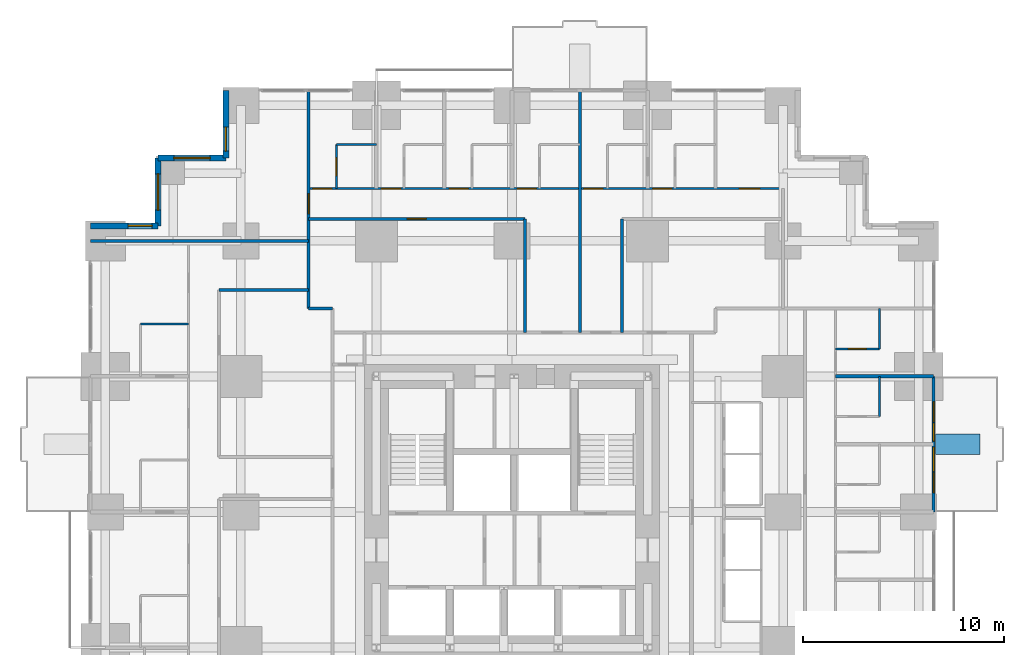
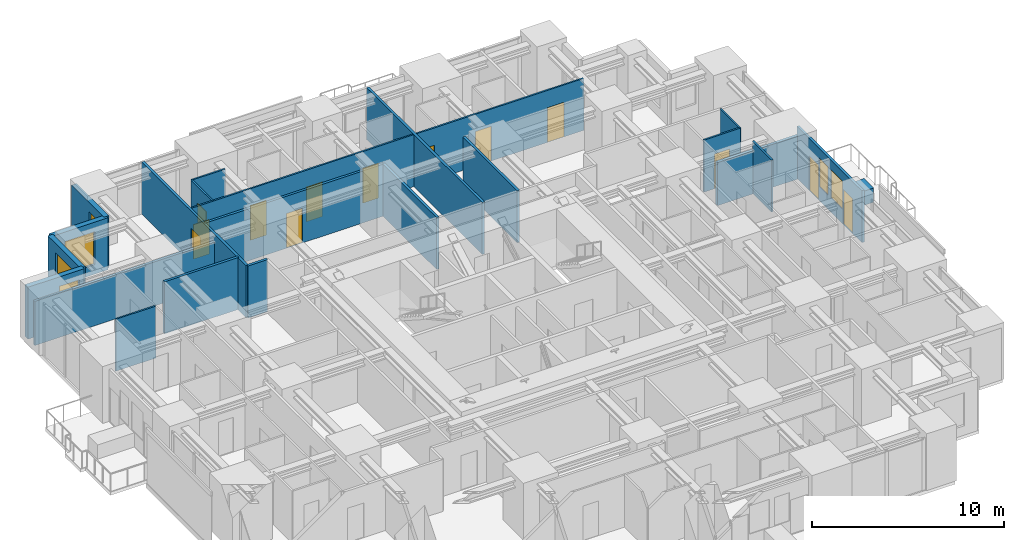
# One storey, part 12 of 15: 22 walls, 13 doors, 6 windows, 19 openings.
"""IFC4 building model written with IfcOpenShell, lengths in metres."""

from ifc_helpers import new_model, si_unit, direction, frame, frame_2d, origin, place, context, subcontext, project, spatial, rectangle, extrude, material, layer, layer_set, type_object, element, fill, save


model = new_model("IFC4")

# Units and contexts
model_context = context("Model", 3, precision=1e-05, world=origin(), true_north=direction((0.0, 1.0)))
body_context = subcontext(model_context, "Body", "Model", "MODEL_VIEW")
ifc_project = project(units=[si_unit("LENGTHUNIT", "METRE"), si_unit("AREAUNIT", "SQUARE_METRE"), si_unit("VOLUMEUNIT", "CUBIC_METRE"), si_unit("PLANEANGLEUNIT", "RADIAN"), si_unit("MASSUNIT", "GRAM", prefix="KILO")], contexts=[model_context])

# Site, building, storey
site_placement = place(None, origin())
site = spatial("IfcSite", under=ifc_project, at=site_placement, CompositionType="ELEMENT")
building_placement = place(site_placement, origin())
building = spatial("IfcBuilding", under=site, at=building_placement, Name="Nyansa Garden Tower", CompositionType="ELEMENT")
storey_placement = place(building_placement, frame((0.0, 0.0, 72.0)))
storey = spatial("IfcBuildingStorey", under=building, at=storey_placement, Name="L19", CompositionType="ELEMENT", Elevation=72.0)

# Wall
ifc_material_1 = material(Name="Dense blockwork, plastered both sides, 55 dB", Category="masonry")
ifc_layer_1 = layer(ifc_material_1, 0.175048828125)
ifc_layer_set_1 = layer_set([ifc_layer_1], Name="Acoustic party wall PW175")
wall_type_1 = type_object("IfcWallType", Name="Acoustic party wall PW175", PredefinedType="PARTITIONING", material=ifc_layer_set_1)
wall_1_placement = place(storey_placement, frame((36.35009765625, 27.0, 0.0), z_axis=(0.0, 0.0, 1.0), x_axis=(1.0, 0.0, 0.0)))
element("IfcWall", 1, at=wall_1_placement, inside=storey, type_object=wall_type_1, Name="Party wall", PredefinedType="PARTITIONING", context=body_context, shape_type="SweptSolid", body=[
    extrude(rectangle(XDim=4.8837890625, YDim=0.175048828125, at=frame_2d((2.44189453125, 0.0))), origin(), (0.0, 0.0, 1.0), 2.73095703125),
])

# Wall, openings, doors, windows
ifc_material_2 = material(Name="Black aluminium framed glazed screen", Category="aluminium")
ifc_layer_2 = layer(ifc_material_2, 0.14990234375)
ifc_layer_set_2 = layer_set([ifc_layer_2], Name="Balcony screen wall BW150")
wall_type_2 = type_object("IfcWallType", Name="Balcony screen wall BW150", PredefinedType="SOLIDWALL", material=ifc_layer_set_2)
wall_2_placement = place(storey_placement, frame((41.25, 27.0, 0.0), z_axis=(0.0, 0.0, 1.0), x_axis=(0.0, -1.0, 0.0)))
wall_2 = element("IfcWall", 2, at=wall_2_placement, inside=storey, type_object=wall_type_2, Name="Glazed screen wall L19 E", PredefinedType="SOLIDWALL", context=body_context, shape_type="SweptSolid", body=[
    extrude(rectangle(XDim=6.75, YDim=0.14990234375, at=frame_2d((3.375, 0.0))), origin(), (0.0, 0.0, 1.0), 3.300048828125),
])
opening_1_placement = place(wall_2_placement, frame((1.262451171875, 0.0, 0.0)))
opening_1 = element("IfcOpeningElement", 3, at=opening_1_placement, cuts=wall_2, Name="Opening D20", PredefinedType="OPENING", context=body_context, shape_type="SweptSolid", body=[
    extrude(rectangle(XDim=1.0, YDim=2.199951171875, at=frame_2d((0.5, 1.10009765625))), frame((0.0, 0.0849609375, 0.0), z_axis=(0.0, -1.0, 0.0), x_axis=(1.0, 0.0, 0.0)), (0.0, 0.0, 1.0), 0.169921875),
])
opening_2_placement = place(wall_2_placement, frame((2.324951171875, 0.0, 0.89990234375)))
opening_2 = element("IfcOpeningElement", 4, at=opening_2_placement, cuts=wall_2, Name="Opening W7", PredefinedType="OPENING", context=body_context, shape_type="SweptSolid", body=[
    extrude(rectangle(XDim=0.89990234375, YDim=1.800048828125, at=frame_2d((0.449951171875, 0.89990234375))), frame((0.0, 0.0849609375, 0.0), z_axis=(0.0, -1.0, 0.0), x_axis=(1.0, 0.0, 0.0)), (0.0, 0.0, 1.0), 0.169921875),
])
opening_3_placement = place(wall_2_placement, frame((4.78759765625, 0.0, 0.0)))
opening_3 = element("IfcOpeningElement", 5, at=opening_3_placement, cuts=wall_2, Name="Opening D20", PredefinedType="OPENING", context=body_context, shape_type="SweptSolid", body=[
    extrude(rectangle(XDim=1.0, YDim=2.199951171875, at=frame_2d((0.5, 1.10009765625))), frame((0.0, 0.0849609375, 0.0), z_axis=(0.0, -1.0, 0.0), x_axis=(1.0, 0.0, 0.0)), (0.0, 0.0, 1.0), 0.169921875),
])
opening_4_placement = place(wall_2_placement, frame((3.52490234375, 0.0, 0.89990234375)))
opening_4 = element("IfcOpeningElement", 6, at=opening_4_placement, cuts=wall_2, Name="Opening W6", PredefinedType="OPENING", context=body_context, shape_type="SweptSolid", body=[
    extrude(rectangle(XDim=1.199951171875, YDim=1.800048828125, at=frame_2d((0.60009765625, 0.89990234375))), frame((0.0, 0.0849609375, 0.0), z_axis=(0.0, -1.0, 0.0), x_axis=(1.0, 0.0, 0.0)), (0.0, 0.0, 1.0), 0.169921875),
])
ifc_material_3 = material(Name="Black aluminium framed glazed door", Category="aluminium")
door_type_1 = type_object("IfcDoorType", Name="Balcony door D20 1000x2200", OperationType="NOTDEFINED", PredefinedType="DOOR", material=ifc_material_3)
door_1_placement = place(opening_1_placement, origin())
door_1 = element("IfcDoor", 7, at=door_1_placement, inside=storey, type_object=door_type_1, Name="Balcony door L19", OperationType="SINGLE_SWING_LEFT", OverallHeight=2.199951171875, OverallWidth=1.0, PredefinedType="DOOR", context=body_context, shape_type="SweptSolid", body=[
    extrude(rectangle(XDim=1.0, YDim=2.199951171875, at=frame_2d((0.5, 1.10009765625))), frame((0.0, 0.02490234375, 0.0), z_axis=(0.0, -1.0, 0.0), x_axis=(1.0, 0.0, 0.0)), (0.0, 0.0, 1.0), 0.050048828125),
])
fill(opening_1, door_1)
door_2_placement = place(opening_3_placement, origin())
door_2 = element("IfcDoor", 8, at=door_2_placement, inside=storey, type_object=door_type_1, Name="Balcony door L19", OperationType="SINGLE_SWING_RIGHT", OverallHeight=2.199951171875, OverallWidth=1.0, PredefinedType="DOOR", context=body_context, shape_type="SweptSolid", body=[
    extrude(rectangle(XDim=1.0, YDim=2.199951171875, at=frame_2d((0.5, 1.10009765625))), frame((0.0, 0.02490234375, 0.0), z_axis=(0.0, -1.0, 0.0), x_axis=(1.0, 0.0, 0.0)), (0.0, 0.0, 1.0), 0.050048828125),
])
fill(opening_3, door_2)
ifc_material_4 = material(Name="Black aluminium frame, dark tinted double glazing", Category="aluminium")
window_type_1 = type_object("IfcWindowType", Name="Balcony window W6 1200x1800", PartitioningType="SINGLE_PANEL", PredefinedType="WINDOW", material=ifc_material_4)
window_1_placement = place(opening_4_placement, origin())
window_1 = element("IfcWindow", 9, at=window_1_placement, inside=storey, type_object=window_type_1, Name="Window L19", OverallHeight=1.800048828125, OverallWidth=1.199951171875, PartitioningType="SINGLE_PANEL", PredefinedType="WINDOW", context=body_context, shape_type="SweptSolid", body=[
    extrude(rectangle(XDim=1.199951171875, YDim=1.800048828125, at=frame_2d((0.60009765625, 0.89990234375))), frame((0.0, 0.030029296875, 0.0), z_axis=(0.0, -1.0, 0.0), x_axis=(1.0, 0.0, 0.0)), (0.0, 0.0, 1.0), 0.06005859375),
])
fill(opening_4, window_1)
ifc_material_5 = material(Name="Black aluminium frame, dark tinted double glazing", Category="aluminium")
window_type_2 = type_object("IfcWindowType", Name="Balcony window W7 900x1800", PartitioningType="SINGLE_PANEL", PredefinedType="WINDOW", material=ifc_material_5)
window_2_placement = place(opening_2_placement, origin())
window_2 = element("IfcWindow", 10, at=window_2_placement, inside=storey, type_object=window_type_2, Name="Window L19", OverallHeight=1.800048828125, OverallWidth=0.89990234375, PartitioningType="SINGLE_PANEL", PredefinedType="WINDOW", context=body_context, shape_type="SweptSolid", body=[
    extrude(rectangle(XDim=0.89990234375, YDim=1.800048828125, at=frame_2d((0.449951171875, 0.89990234375))), frame((0.0, 0.030029296875, 0.0), z_axis=(0.0, -1.0, 0.0), x_axis=(1.0, 0.0, 0.0)), (0.0, 0.0, 1.0), 0.06005859375),
])
fill(opening_2, window_2)

# Walls
ifc_material_6 = material(Name="Blockwork, plastered both sides", Category="masonry")
ifc_layer_3 = layer(ifc_material_6, 0.14990234375)
ifc_layer_set_3 = layer_set([ifc_layer_3], Name="Partition PW150")
wall_type_3 = type_object("IfcWallType", Name="Partition PW150", PredefinedType="PARTITIONING", material=ifc_layer_set_3)
wall_3_placement = place(storey_placement, frame((-0.73388671875, 33.75, 0.0), z_axis=(0.0, 0.0, 1.0), x_axis=(1.0, 0.0, 0.0)))
element("IfcWall", 11, at=wall_3_placement, inside=storey, type_object=wall_type_3, Name="Partition", PredefinedType="PARTITIONING", context=body_context, shape_type="SweptSolid", body=[
    extrude(rectangle(XDim=10.85888671875, YDim=0.14990234375, at=frame_2d((5.429443359375, 0.0))), origin(), (0.0, 0.0, 1.0), 2.802001953125),
])
wall_4_placement = place(storey_placement, frame((5.64990234375, 31.300048828125, 0.0), z_axis=(0.0, 0.0, 1.0), x_axis=(1.0, 0.0, 0.0)))
element("IfcWall", 12, at=wall_4_placement, inside=storey, type_object=wall_type_3, Name="Partition", PredefinedType="PARTITIONING", context=body_context, shape_type="SweptSolid", body=[
    extrude(rectangle(XDim=4.47509765625, YDim=0.14990234375, at=frame_2d((2.237548828125, 0.0))), origin(), (0.0, 0.0, 1.0), 3.300048828125),
])

# Wall, opening, door
wall_5_placement = place(storey_placement, frame((10.125, 30.375, 0.0), z_axis=(0.0, 0.0, 1.0), x_axis=(0.0, 1.0, 0.0)))
wall_5 = element("IfcWall", 13, at=wall_5_placement, inside=storey, type_object=wall_type_3, Name="Partition", PredefinedType="PARTITIONING", context=body_context, shape_type="SweptSolid", body=[
    extrude(rectangle(XDim=10.85888671875, YDim=0.14990234375, at=frame_2d((5.429443359375, 0.0))), origin(), (0.0, 0.0, 1.0), 3.300048828125),
])
opening_5_placement = place(wall_5_placement, frame((4.72509765625, 0.0, 0.0)))
opening_5 = element("IfcOpeningElement", 14, at=opening_5_placement, cuts=wall_5, Name="Opening D03", PredefinedType="OPENING", context=body_context, shape_type="SweptSolid", body=[
    extrude(rectangle(XDim=1.0, YDim=2.199951171875, at=frame_2d((0.5, 1.10009765625))), frame((0.0, 0.0849609375, 0.0), z_axis=(0.0, -1.0, 0.0), x_axis=(1.0, 0.0, 0.0)), (0.0, 0.0, 1.0), 0.169921875),
])
ifc_material_7 = material(Name="Timber flush door, 60 minute fire resisting", Category="wood")
door_type_2 = type_object("IfcDoorType", Name="Cluster entrance door D03 1000x2200", OperationType="SINGLE_SWING_LEFT", PredefinedType="DOOR", material=ifc_material_7)
door_3_placement = place(opening_5_placement, origin())
door_3 = element("IfcDoor", 15, at=door_3_placement, inside=storey, type_object=door_type_2, Name="Door L19-066", OperationType="SINGLE_SWING_LEFT", OverallHeight=2.199951171875, OverallWidth=1.0, PredefinedType="DOOR", context=body_context, shape_type="SweptSolid", body=[
    extrude(rectangle(XDim=1.0, YDim=2.199951171875, at=frame_2d((0.5, 1.10009765625))), frame((0.0, 0.02490234375, 0.0), z_axis=(0.0, -1.0, 0.0), x_axis=(1.0, 0.0, 0.0)), (0.0, 0.0, 1.0), 0.050048828125),
])
fill(opening_5, door_3)

# Wall
wall_6_placement = place(storey_placement, frame((10.125, 30.375, 0.0), z_axis=(0.0, 0.0, 1.0), x_axis=(1.0, 0.0, 0.0)))
element("IfcWall", 16, at=wall_6_placement, inside=storey, type_object=wall_type_3, Name="Partition", PredefinedType="PARTITIONING", context=body_context, shape_type="SweptSolid", body=[
    extrude(rectangle(XDim=1.175048828125, YDim=0.14990234375, at=frame_2d((0.58740234375, 0.0))), origin(), (0.0, 0.0, 1.0), 3.300048828125),
])

# Wall, opening, door
wall_7_placement = place(storey_placement, frame((10.125, 34.85009765625, 0.0), z_axis=(0.0, 0.0, 1.0), x_axis=(1.0, 0.0, 0.0)))
wall_7 = element("IfcWall", 17, at=wall_7_placement, inside=storey, type_object=wall_type_3, Name="Partition", PredefinedType="PARTITIONING", context=body_context, shape_type="SweptSolid", body=[
    extrude(rectangle(XDim=10.762451171875, YDim=0.14990234375, at=frame_2d((5.38134765625, 0.0))), origin(), (0.0, 0.0, 1.0), 3.300048828125),
])
opening_6_placement = place(wall_7_placement, frame((4.89990234375, 0.0, 0.0)))
opening_6 = element("IfcOpeningElement", 18, at=opening_6_placement, cuts=wall_7, Name="Opening D01", PredefinedType="OPENING", context=body_context, shape_type="SweptSolid", body=[
    extrude(rectangle(XDim=0.949951171875, YDim=2.199951171875, at=frame_2d((0.47509765625, 1.10009765625))), frame((0.0, 0.0849609375, 0.0), z_axis=(0.0, -1.0, 0.0), x_axis=(1.0, 0.0, 0.0)), (0.0, 0.0, 1.0), 0.169921875),
])
ifc_material_8 = material(Name="Timber flush door, 30 minute fire resisting", Category="wood")
door_type_3 = type_object("IfcDoorType", Name="Bedroom door D01 950x2200", OperationType="SINGLE_SWING_LEFT", PredefinedType="DOOR", material=ifc_material_8)
door_4_placement = place(opening_6_placement, origin())
door_4 = element("IfcDoor", 19, at=door_4_placement, inside=storey, type_object=door_type_3, Name="Door L19-065", OperationType="SINGLE_SWING_LEFT", OverallHeight=2.199951171875, OverallWidth=0.949951171875, PredefinedType="DOOR", context=body_context, shape_type="SweptSolid", body=[
    extrude(rectangle(XDim=0.949951171875, YDim=2.199951171875, at=frame_2d((0.47509765625, 1.10009765625))), frame((0.0, 0.02490234375, 0.0), z_axis=(0.0, -1.0, 0.0), x_axis=(1.0, 0.0, 0.0)), (0.0, 0.0, 1.0), 0.050048828125),
])
fill(opening_6, door_4)

# Walls
wall_8_placement = place(storey_placement, frame((20.886962890625, 29.199951171875, 0.0), z_axis=(0.0, 0.0, 1.0), x_axis=(0.0, 1.0, 0.0)))
element("IfcWall", 20, at=wall_8_placement, inside=storey, type_object=wall_type_3, Name="Partition", PredefinedType="PARTITIONING", context=body_context, shape_type="SweptSolid", body=[
    extrude(rectangle(XDim=5.650146484375, YDim=0.14990234375, at=frame_2d((2.8251953125, 0.0))), origin(), (0.0, 0.0, 1.0), 3.300048828125),
])
wall_9_placement = place(storey_placement, frame((23.625, 29.199951171875, 0.0), z_axis=(0.0, 0.0, 1.0), x_axis=(0.0, 1.0, 0.0)))
element("IfcWall", 21, at=wall_9_placement, inside=storey, type_object=wall_type_3, Name="Partition", PredefinedType="PARTITIONING", context=body_context, shape_type="SweptSolid", body=[
    extrude(rectangle(XDim=12.033935546875, YDim=0.14990234375, at=frame_2d((6.01708984375, 0.0))), origin(), (0.0, 0.0, 1.0), 3.300048828125),
])
wall_10_placement = place(storey_placement, frame((25.72509765625, 29.199951171875, 0.0), z_axis=(0.0, 0.0, 1.0), x_axis=(0.0, 1.0, 0.0)))
element("IfcWall", 22, at=wall_10_placement, inside=storey, type_object=wall_type_3, Name="Partition", PredefinedType="PARTITIONING", context=body_context, shape_type="SweptSolid", body=[
    extrude(rectangle(XDim=5.650146484375, YDim=0.14990234375, at=frame_2d((2.8251953125, 0.0))), origin(), (0.0, 0.0, 1.0), 3.300048828125),
])

# Wall, opening, window
ifc_material_9 = material(Name="Turquoise glazed tile on concrete blockwork", Category="masonry")
ifc_layer_4 = layer(ifc_material_9, 0.300048828125)
ifc_layer_set_4 = layer_set([ifc_layer_4], Name="Tiled corner wall TW300")
wall_type_4 = type_object("IfcWallType", Name="Tiled corner wall TW300", PredefinedType="SOLIDWALL", material=ifc_layer_set_4)
wall_11_placement = place(storey_placement, frame((6.0, 41.25, 0.0), z_axis=(0.0, 0.0, 1.0), x_axis=(0.0, -1.0, 0.0)))
wall_11 = element("IfcWall", 23, at=wall_11_placement, inside=storey, type_object=wall_type_4, Name="Tiled corner wall L19", PredefinedType="SOLIDWALL", context=body_context, shape_type="SweptSolid", body=[
    extrude(rectangle(XDim=3.375, YDim=0.300048828125, at=frame_2d((1.6875, 0.0))), origin(), (0.0, 0.0, 1.0), 3.300048828125),
])
opening_7_placement = place(wall_11_placement, frame((1.83251953125, 0.0, 0.89990234375)))
opening_7 = element("IfcOpeningElement", 24, at=opening_7_placement, cuts=wall_11, Name="Opening W4", PredefinedType="OPENING", context=body_context, shape_type="SweptSolid", body=[
    extrude(rectangle(XDim=1.199951171875, YDim=1.800048828125, at=frame_2d((0.60009765625, 0.89990234375))), frame((0.0, 0.159912109375, 0.0), z_axis=(0.0, -1.0, 0.0), x_axis=(1.0, 0.0, 0.0)), (0.0, 0.0, 1.0), 0.320068359375),
])
ifc_material_10 = material(Name="Black aluminium frame, dark tinted double glazing", Category="aluminium")
window_type_3 = type_object("IfcWindowType", Name="Window W4 1200x1800", PartitioningType="SINGLE_PANEL", PredefinedType="WINDOW", material=ifc_material_10)
window_3_placement = place(opening_7_placement, origin())
window_3 = element("IfcWindow", 25, at=window_3_placement, inside=storey, type_object=window_type_3, Name="Corner window L19", OverallHeight=1.800048828125, OverallWidth=1.199951171875, PartitioningType="SINGLE_PANEL", PredefinedType="WINDOW", context=body_context, shape_type="SweptSolid", body=[
    extrude(rectangle(XDim=1.199951171875, YDim=1.800048828125, at=frame_2d((0.60009765625, 0.89990234375))), frame((0.0, 0.030029296875, 0.0), z_axis=(0.0, -1.0, 0.0), x_axis=(1.0, 0.0, 0.0)), (0.0, 0.0, 1.0), 0.06005859375),
])
fill(opening_7, window_3)

wall_12_placement = place(storey_placement, frame((6.0, 37.875, 0.0), z_axis=(0.0, 0.0, 1.0), x_axis=(-1.0, 0.0, 0.0)))
wall_12 = element("IfcWall", 26, at=wall_12_placement, inside=storey, type_object=wall_type_4, Name="Tiled corner wall L19", PredefinedType="SOLIDWALL", context=body_context, shape_type="SweptSolid", body=[
    extrude(rectangle(XDim=3.375, YDim=0.300048828125, at=frame_2d((1.6875, 0.0))), origin(), (0.0, 0.0, 1.0), 3.300048828125),
])
opening_8_placement = place(wall_12_placement, frame((0.78759765625, 0.0, 0.60009765625)))
opening_8 = element("IfcOpeningElement", 27, at=opening_8_placement, cuts=wall_12, Name="Opening W2", PredefinedType="OPENING", context=body_context, shape_type="SweptSolid", body=[
    extrude(rectangle(XDim=1.800048828125, YDim=2.10009765625, at=frame_2d((0.89990234375, 1.050048828125))), frame((0.0, 0.159912109375, 0.0), z_axis=(0.0, -1.0, 0.0), x_axis=(1.0, 0.0, 0.0)), (0.0, 0.0, 1.0), 0.320068359375),
])
ifc_material_11 = material(Name="Black aluminium frame, dark tinted double glazing", Category="aluminium")
window_type_4 = type_object("IfcWindowType", Name="Window W2 1800x2100", PartitioningType="SINGLE_PANEL", PredefinedType="WINDOW", material=ifc_material_11)
window_4_placement = place(opening_8_placement, origin())
window_4 = element("IfcWindow", 28, at=window_4_placement, inside=storey, type_object=window_type_4, Name="Corner window L19", OverallHeight=2.10009765625, OverallWidth=1.800048828125, PartitioningType="SINGLE_PANEL", PredefinedType="WINDOW", context=body_context, shape_type="SweptSolid", body=[
    extrude(rectangle(XDim=1.800048828125, YDim=2.10009765625, at=frame_2d((0.89990234375, 1.050048828125))), frame((0.0, 0.030029296875, 0.0), z_axis=(0.0, -1.0, 0.0), x_axis=(1.0, 0.0, 0.0)), (0.0, 0.0, 1.0), 0.06005859375),
])
fill(opening_8, window_4)

wall_13_placement = place(storey_placement, frame((2.625, 37.875, 0.0), z_axis=(0.0, 0.0, 1.0), x_axis=(0.0, -1.0, 0.0)))
wall_13 = element("IfcWall", 29, at=wall_13_placement, inside=storey, type_object=wall_type_4, Name="Tiled corner wall L19", PredefinedType="SOLIDWALL", context=body_context, shape_type="SweptSolid", body=[
    extrude(rectangle(XDim=3.375, YDim=0.300048828125, at=frame_2d((1.6875, 0.0))), origin(), (0.0, 0.0, 1.0), 3.300048828125),
])
opening_9_placement = place(wall_13_placement, frame((0.78759765625, 0.0, 0.60009765625)))
opening_9 = element("IfcOpeningElement", 30, at=opening_9_placement, cuts=wall_13, Name="Opening W2", PredefinedType="OPENING", context=body_context, shape_type="SweptSolid", body=[
    extrude(rectangle(XDim=1.800048828125, YDim=2.10009765625, at=frame_2d((0.89990234375, 1.050048828125))), frame((0.0, 0.159912109375, 0.0), z_axis=(0.0, -1.0, 0.0), x_axis=(1.0, 0.0, 0.0)), (0.0, 0.0, 1.0), 0.320068359375),
])
window_5_placement = place(opening_9_placement, origin())
window_5 = element("IfcWindow", 31, at=window_5_placement, inside=storey, type_object=window_type_4, Name="Corner window L19", OverallHeight=2.10009765625, OverallWidth=1.800048828125, PartitioningType="SINGLE_PANEL", PredefinedType="WINDOW", context=body_context, shape_type="SweptSolid", body=[
    extrude(rectangle(XDim=1.800048828125, YDim=2.10009765625, at=frame_2d((0.89990234375, 1.050048828125))), frame((0.0, 0.030029296875, 0.0), z_axis=(0.0, -1.0, 0.0), x_axis=(1.0, 0.0, 0.0)), (0.0, 0.0, 1.0), 0.06005859375),
])
fill(opening_9, window_5)

wall_14_placement = place(storey_placement, frame((2.625, 34.5, 0.0), z_axis=(0.0, 0.0, 1.0), x_axis=(-1.0, 0.0, 0.0)))
wall_14 = element("IfcWall", 32, at=wall_14_placement, inside=storey, type_object=wall_type_4, Name="Tiled corner wall L19", PredefinedType="SOLIDWALL", context=body_context, shape_type="SweptSolid", body=[
    extrude(rectangle(XDim=3.375, YDim=0.300048828125, at=frame_2d((1.6875, 0.0))), origin(), (0.0, 0.0, 1.0), 3.300048828125),
])
opening_10_placement = place(wall_14_placement, frame((0.29248046875, 0.0, 0.89990234375)))
opening_10 = element("IfcOpeningElement", 33, at=opening_10_placement, cuts=wall_14, Name="Opening W4", PredefinedType="OPENING", context=body_context, shape_type="SweptSolid", body=[
    extrude(rectangle(XDim=1.199951171875, YDim=1.800048828125, at=frame_2d((0.60009765625, 0.89990234375))), frame((0.0, 0.159912109375, 0.0), z_axis=(0.0, -1.0, 0.0), x_axis=(1.0, 0.0, 0.0)), (0.0, 0.0, 1.0), 0.320068359375),
])
window_6_placement = place(opening_10_placement, origin())
window_6 = element("IfcWindow", 34, at=window_6_placement, inside=storey, type_object=window_type_3, Name="Corner window L19", OverallHeight=1.800048828125, OverallWidth=1.199951171875, PartitioningType="SINGLE_PANEL", PredefinedType="WINDOW", context=body_context, shape_type="SweptSolid", body=[
    extrude(rectangle(XDim=1.199951171875, YDim=1.800048828125, at=frame_2d((0.60009765625, 0.89990234375))), frame((0.0, 0.030029296875, 0.0), z_axis=(0.0, -1.0, 0.0), x_axis=(1.0, 0.0, 0.0)), (0.0, 0.0, 1.0), 0.06005859375),
])
fill(opening_10, window_6)

# Walls
ifc_material_12 = material(Name="Concrete C40/50 planter, waterproofed", Category="concrete")
ifc_layer_5 = layer(ifc_material_12, 1.0)
ifc_layer_set_5 = layer_set([ifc_layer_5], Name="Tree planter TP1")
wall_type_5 = type_object("IfcWallType", Name="Tree planter TP1", PredefinedType="USERDEFINED", material=ifc_layer_set_5)
wall_15_placement = place(storey_placement, frame((41.35009765625, 23.625, 0.0), z_axis=(0.0, 0.0, 1.0), x_axis=(1.0, 0.0, 0.0)))
element("IfcWall", 35, at=wall_15_placement, inside=storey, type_object=wall_type_5, Name="Tree planter L19", ObjectType="TREE PLANTER", PredefinedType="USERDEFINED", context=body_context, shape_type="SweptSolid", body=[
    extrude(rectangle(XDim=2.199951171875, YDim=1.0, at=frame_2d((1.10009765625, 0.0))), origin(), (0.0, 0.0, 1.0), 0.89990234375),
])
ifc_material_13 = material(Name="Moisture resistant board on steel studs, tiled", Category="steel")
ifc_layer_6 = layer(ifc_material_13, 0.10009765625)
ifc_layer_set_6 = layer_set([ifc_layer_6], Name="Wet wall PW100")
wall_type_6 = type_object("IfcWallType", Name="Wet wall PW100", PredefinedType="PARTITIONING", material=ifc_layer_set_6)
wall_16_placement = place(storey_placement, frame((1.75, 29.60009765625, 0.0), z_axis=(0.0, 0.0, 1.0), x_axis=(1.0, 0.0, 0.0)))
element("IfcWall", 36, at=wall_16_placement, inside=storey, type_object=wall_type_6, Name="Wet wall", PredefinedType="PARTITIONING", context=body_context, shape_type="SweptSolid", body=[
    extrude(rectangle(XDim=2.39990234375, YDim=0.10009765625, at=frame_2d((1.199951171875, 0.0))), origin(), (0.0, 0.0, 1.0), 3.300048828125),
])

# Wall, openings, doors
wall_17_placement = place(storey_placement, frame((10.125, 36.35009765625, 0.0), z_axis=(0.0, 0.0, 1.0), x_axis=(1.0, 0.0, 0.0)))
wall_17 = element("IfcWall", 37, at=wall_17_placement, inside=storey, type_object=wall_type_6, Name="Wet wall", PredefinedType="PARTITIONING", context=body_context, shape_type="SweptSolid", body=[
    extrude(rectangle(XDim=23.625, YDim=0.10009765625, at=frame_2d((11.8125, 0.0))), origin(), (0.0, 0.0, 1.0), 3.300048828125),
])
opening_11_placement = place(wall_17_placement, frame((21.449951171875, 0.0, 0.0)))
opening_11 = element("IfcOpeningElement", 38, at=opening_11_placement, cuts=wall_17, Name="Opening D03", PredefinedType="OPENING", context=body_context, shape_type="SweptSolid", body=[
    extrude(rectangle(XDim=1.0, YDim=2.199951171875, at=frame_2d((0.5, 1.10009765625))), frame((0.0, 0.06005859375, 0.0), z_axis=(0.0, -1.0, 0.0), x_axis=(1.0, 0.0, 0.0)), (0.0, 0.0, 1.0), 0.1201171875),
])
opening_12_placement = place(wall_17_placement, frame((17.125, 0.0, 0.0)))
opening_12 = element("IfcOpeningElement", 39, at=opening_12_placement, cuts=wall_17, Name="Opening D01", PredefinedType="OPENING", context=body_context, shape_type="SweptSolid", body=[
    extrude(rectangle(XDim=0.949951171875, YDim=2.199951171875, at=frame_2d((0.47509765625, 1.10009765625))), frame((0.0, 0.06005859375, 0.0), z_axis=(0.0, -1.0, 0.0), x_axis=(1.0, 0.0, 0.0)), (0.0, 0.0, 1.0), 0.1201171875),
])
opening_13_placement = place(wall_17_placement, frame((13.699951171875, 0.0, 0.0)))
opening_13 = element("IfcOpeningElement", 40, at=opening_13_placement, cuts=wall_17, Name="Opening D01", PredefinedType="OPENING", context=body_context, shape_type="SweptSolid", body=[
    extrude(rectangle(XDim=0.949951171875, YDim=2.199951171875, at=frame_2d((0.47509765625, 1.10009765625))), frame((0.0, 0.06005859375, 0.0), z_axis=(0.0, -1.0, 0.0), x_axis=(1.0, 0.0, 0.0)), (0.0, 0.0, 1.0), 0.1201171875),
])
opening_14_placement = place(wall_17_placement, frame((0.199951171875, 0.0, 0.0)))
opening_14 = element("IfcOpeningElement", 41, at=opening_14_placement, cuts=wall_17, Name="Opening D14", PredefinedType="OPENING", context=body_context, shape_type="SweptSolid", body=[
    extrude(rectangle(XDim=0.949951171875, YDim=2.199951171875, at=frame_2d((0.47509765625, 1.10009765625))), frame((0.0, 0.06005859375, 0.0), z_axis=(0.0, -1.0, 0.0), x_axis=(1.0, 0.0, 0.0)), (0.0, 0.0, 1.0), 0.1201171875),
])
opening_15_placement = place(wall_17_placement, frame((3.625, 0.0, 0.0)))
opening_15 = element("IfcOpeningElement", 42, at=opening_15_placement, cuts=wall_17, Name="Opening D14", PredefinedType="OPENING", context=body_context, shape_type="SweptSolid", body=[
    extrude(rectangle(XDim=0.949951171875, YDim=2.199951171875, at=frame_2d((0.47509765625, 1.10009765625))), frame((0.0, 0.06005859375, 0.0), z_axis=(0.0, -1.0, 0.0), x_axis=(1.0, 0.0, 0.0)), (0.0, 0.0, 1.0), 0.1201171875),
])
opening_16_placement = place(wall_17_placement, frame((7.0, 0.0, 0.0)))
opening_16 = element("IfcOpeningElement", 43, at=opening_16_placement, cuts=wall_17, Name="Opening D14", PredefinedType="OPENING", context=body_context, shape_type="SweptSolid", body=[
    extrude(rectangle(XDim=0.949951171875, YDim=2.199951171875, at=frame_2d((0.47509765625, 1.10009765625))), frame((0.0, 0.06005859375, 0.0), z_axis=(0.0, -1.0, 0.0), x_axis=(1.0, 0.0, 0.0)), (0.0, 0.0, 1.0), 0.1201171875),
])
opening_17_placement = place(wall_17_placement, frame((10.375, 0.0, 0.0)))
opening_17 = element("IfcOpeningElement", 44, at=opening_17_placement, cuts=wall_17, Name="Opening D14", PredefinedType="OPENING", context=body_context, shape_type="SweptSolid", body=[
    extrude(rectangle(XDim=0.949951171875, YDim=2.199951171875, at=frame_2d((0.47509765625, 1.10009765625))), frame((0.0, 0.06005859375, 0.0), z_axis=(0.0, -1.0, 0.0), x_axis=(1.0, 0.0, 0.0)), (0.0, 0.0, 1.0), 0.1201171875),
])
door_5_placement = place(opening_12_placement, origin())
door_5 = element("IfcDoor", 45, at=door_5_placement, inside=storey, type_object=door_type_3, Name="Door L19-050", OperationType="SINGLE_SWING_LEFT", OverallHeight=2.199951171875, OverallWidth=0.949951171875, PredefinedType="DOOR", context=body_context, shape_type="SweptSolid", body=[
    extrude(rectangle(XDim=0.949951171875, YDim=2.199951171875, at=frame_2d((0.47509765625, 1.10009765625))), frame((0.0, 0.02490234375, 0.0), z_axis=(0.0, -1.0, 0.0), x_axis=(1.0, 0.0, 0.0)), (0.0, 0.0, 1.0), 0.050048828125),
])
fill(opening_12, door_5)
door_6_placement = place(opening_13_placement, origin())
door_6 = element("IfcDoor", 46, at=door_6_placement, inside=storey, type_object=door_type_3, Name="Door L19-052", OperationType="SINGLE_SWING_LEFT", OverallHeight=2.199951171875, OverallWidth=0.949951171875, PredefinedType="DOOR", context=body_context, shape_type="SweptSolid", body=[
    extrude(rectangle(XDim=0.949951171875, YDim=2.199951171875, at=frame_2d((0.47509765625, 1.10009765625))), frame((0.0, 0.02490234375, 0.0), z_axis=(0.0, -1.0, 0.0), x_axis=(1.0, 0.0, 0.0)), (0.0, 0.0, 1.0), 0.050048828125),
])
fill(opening_13, door_6)
door_7_placement = place(opening_11_placement, origin())
door_7 = element("IfcDoor", 47, at=door_7_placement, inside=storey, type_object=door_type_2, Name="Door L19-049", OperationType="SINGLE_SWING_LEFT", OverallHeight=2.199951171875, OverallWidth=1.0, PredefinedType="DOOR", context=body_context, shape_type="SweptSolid", body=[
    extrude(rectangle(XDim=1.0, YDim=2.199951171875, at=frame_2d((0.5, 1.10009765625))), frame((0.0, 0.02490234375, 0.0), z_axis=(0.0, -1.0, 0.0), x_axis=(1.0, 0.0, 0.0)), (0.0, 0.0, 1.0), 0.050048828125),
])
fill(opening_11, door_7)
ifc_material_14 = material(Name="Timber flush door, 60 minute fire resisting, self-closing", Category="wood")
door_type_4 = type_object("IfcDoorType", Name="Studio entrance door D14 950x2200", OperationType="SINGLE_SWING_LEFT", PredefinedType="DOOR", material=ifc_material_14)
door_8_placement = place(opening_14_placement, origin())
door_8 = element("IfcDoor", 48, at=door_8_placement, inside=storey, type_object=door_type_4, Name="Door L19-055", OperationType="SINGLE_SWING_LEFT", OverallHeight=2.199951171875, OverallWidth=0.949951171875, PredefinedType="DOOR", context=body_context, shape_type="SweptSolid", body=[
    extrude(rectangle(XDim=0.949951171875, YDim=2.199951171875, at=frame_2d((0.47509765625, 1.10009765625))), frame((0.0, 0.02490234375, 0.0), z_axis=(0.0, -1.0, 0.0), x_axis=(1.0, 0.0, 0.0)), (0.0, 0.0, 1.0), 0.050048828125),
])
fill(opening_14, door_8)
door_9_placement = place(opening_15_placement, origin())
door_9 = element("IfcDoor", 49, at=door_9_placement, inside=storey, type_object=door_type_4, Name="Door L19-057", OperationType="SINGLE_SWING_LEFT", OverallHeight=2.199951171875, OverallWidth=0.949951171875, PredefinedType="DOOR", context=body_context, shape_type="SweptSolid", body=[
    extrude(rectangle(XDim=0.949951171875, YDim=2.199951171875, at=frame_2d((0.47509765625, 1.10009765625))), frame((0.0, 0.02490234375, 0.0), z_axis=(0.0, -1.0, 0.0), x_axis=(1.0, 0.0, 0.0)), (0.0, 0.0, 1.0), 0.050048828125),
])
fill(opening_15, door_9)
door_10_placement = place(opening_16_placement, origin())
door_10 = element("IfcDoor", 50, at=door_10_placement, inside=storey, type_object=door_type_4, Name="Door L19-059", OperationType="SINGLE_SWING_LEFT", OverallHeight=2.199951171875, OverallWidth=0.949951171875, PredefinedType="DOOR", context=body_context, shape_type="SweptSolid", body=[
    extrude(rectangle(XDim=0.949951171875, YDim=2.199951171875, at=frame_2d((0.47509765625, 1.10009765625))), frame((0.0, 0.02490234375, 0.0), z_axis=(0.0, -1.0, 0.0), x_axis=(1.0, 0.0, 0.0)), (0.0, 0.0, 1.0), 0.050048828125),
])
fill(opening_16, door_10)
door_11_placement = place(opening_17_placement, origin())
door_11 = element("IfcDoor", 51, at=door_11_placement, inside=storey, type_object=door_type_4, Name="Door L19-061", OperationType="SINGLE_SWING_LEFT", OverallHeight=2.199951171875, OverallWidth=0.949951171875, PredefinedType="DOOR", context=body_context, shape_type="SweptSolid", body=[
    extrude(rectangle(XDim=0.949951171875, YDim=2.199951171875, at=frame_2d((0.47509765625, 1.10009765625))), frame((0.0, 0.02490234375, 0.0), z_axis=(0.0, -1.0, 0.0), x_axis=(1.0, 0.0, 0.0)), (0.0, 0.0, 1.0), 0.050048828125),
])
fill(opening_17, door_11)

# Wall, opening, door
wall_18_placement = place(storey_placement, frame((11.5, 36.35009765625, 0.0), z_axis=(0.0, 0.0, 1.0), x_axis=(0.0, 1.0, 0.0)))
wall_18 = element("IfcWall", 52, at=wall_18_placement, inside=storey, type_object=wall_type_6, Name="Wet wall", PredefinedType="PARTITIONING", context=body_context, shape_type="SweptSolid", body=[
    extrude(rectangle(XDim=2.199951171875, YDim=0.10009765625, at=frame_2d((1.10009765625, 0.0))), origin(), (0.0, 0.0, 1.0), 3.300048828125),
])
opening_18_placement = place(wall_18_placement, frame((0.64990234375, 0.0, 0.0)))
opening_18 = element("IfcOpeningElement", 53, at=opening_18_placement, cuts=wall_18, Name="Opening D02", PredefinedType="OPENING", context=body_context, shape_type="SweptSolid", body=[
    extrude(rectangle(XDim=0.89990234375, YDim=2.199951171875, at=frame_2d((0.449951171875, 1.10009765625))), frame((0.0, 0.06005859375, 0.0), z_axis=(0.0, -1.0, 0.0), x_axis=(1.0, 0.0, 0.0)), (0.0, 0.0, 1.0), 0.1201171875),
])
ifc_material_15 = material(Name="Timber flush door", Category="wood")
door_type_5 = type_object("IfcDoorType", Name="En-suite door D02 900x2200", OperationType="SINGLE_SWING_RIGHT", PredefinedType="DOOR", material=ifc_material_15)
door_12_placement = place(opening_18_placement, origin())
door_12 = element("IfcDoor", 54, at=door_12_placement, inside=storey, type_object=door_type_5, Name="Door L19-056", OperationType="SINGLE_SWING_RIGHT", OverallHeight=2.199951171875, OverallWidth=0.89990234375, PredefinedType="DOOR", context=body_context, shape_type="SweptSolid", body=[
    extrude(rectangle(XDim=0.89990234375, YDim=2.199951171875, at=frame_2d((0.449951171875, 1.10009765625))), frame((0.0, 0.02490234375, 0.0), z_axis=(0.0, -1.0, 0.0), x_axis=(1.0, 0.0, 0.0)), (0.0, 0.0, 1.0), 0.050048828125),
])
fill(opening_18, door_12)

# Wall
wall_19_placement = place(storey_placement, frame((11.5, 38.550048828125, 0.0), z_axis=(0.0, 0.0, 1.0), x_axis=(1.0, 0.0, 0.0)))
element("IfcWall", 55, at=wall_19_placement, inside=storey, type_object=wall_type_6, Name="Wet wall", PredefinedType="PARTITIONING", context=body_context, shape_type="SweptSolid", body=[
    extrude(rectangle(XDim=2.0, YDim=0.10009765625, at=frame_2d((1.0, 0.0))), origin(), (0.0, 0.0, 1.0), 3.300048828125),
])

# Wall, opening, door
wall_20_placement = place(storey_placement, frame((36.35009765625, 28.375, 0.0), z_axis=(0.0, 0.0, 1.0), x_axis=(1.0, 0.0, 0.0)))
wall_20 = element("IfcWall", 56, at=wall_20_placement, inside=storey, type_object=wall_type_6, Name="Wet wall", PredefinedType="PARTITIONING", context=body_context, shape_type="SweptSolid", body=[
    extrude(rectangle(XDim=2.199951171875, YDim=0.10009765625, at=frame_2d((1.10009765625, 0.0))), origin(), (0.0, 0.0, 1.0), 3.300048828125),
])
opening_19_placement = place(wall_20_placement, frame((0.64990234375, 0.0, 0.0)))
opening_19 = element("IfcOpeningElement", 57, at=opening_19_placement, cuts=wall_20, Name="Opening D02", PredefinedType="OPENING", context=body_context, shape_type="SweptSolid", body=[
    extrude(rectangle(XDim=0.89990234375, YDim=2.199951171875, at=frame_2d((0.449951171875, 1.10009765625))), frame((0.0, 0.06005859375, 0.0), z_axis=(0.0, -1.0, 0.0), x_axis=(1.0, 0.0, 0.0)), (0.0, 0.0, 1.0), 0.1201171875),
])
door_13_placement = place(opening_19_placement, origin())
door_13 = element("IfcDoor", 58, at=door_13_placement, inside=storey, type_object=door_type_5, Name="Door L19-045", OperationType="SINGLE_SWING_RIGHT", OverallHeight=2.199951171875, OverallWidth=0.89990234375, PredefinedType="DOOR", context=body_context, shape_type="SweptSolid", body=[
    extrude(rectangle(XDim=0.89990234375, YDim=2.199951171875, at=frame_2d((0.449951171875, 1.10009765625))), frame((0.0, 0.02490234375, 0.0), z_axis=(0.0, -1.0, 0.0), x_axis=(1.0, 0.0, 0.0)), (0.0, 0.0, 1.0), 0.050048828125),
])
fill(opening_19, door_13)

# Walls
for number, where, z_axis, x_axis, name in (
    (59, (38.550048828125, 25.0, 0.0), (0.0, 0.0, 1.0), (0.0, 1.0, 0.0), "Wet wall"),
    (60, (38.550048828125, 28.375, 0.0), (0.0, 0.0, 1.0), (0.0, 1.0, 0.0), "Wet wall"),
):
    element("IfcWall", number, at=place(storey_placement, frame(where, z_axis=z_axis, x_axis=x_axis)), inside=storey, type_object=wall_type_6, Name=name, PredefinedType="PARTITIONING", context=body_context, shape_type="SweptSolid", body=[
        extrude(rectangle(XDim=2.0, YDim=0.10009765625, at=frame_2d((1.0, 0.0))), origin(), (0.0, 0.0, 1.0), 3.300048828125),
    ])

save(model, "model.ifc")
